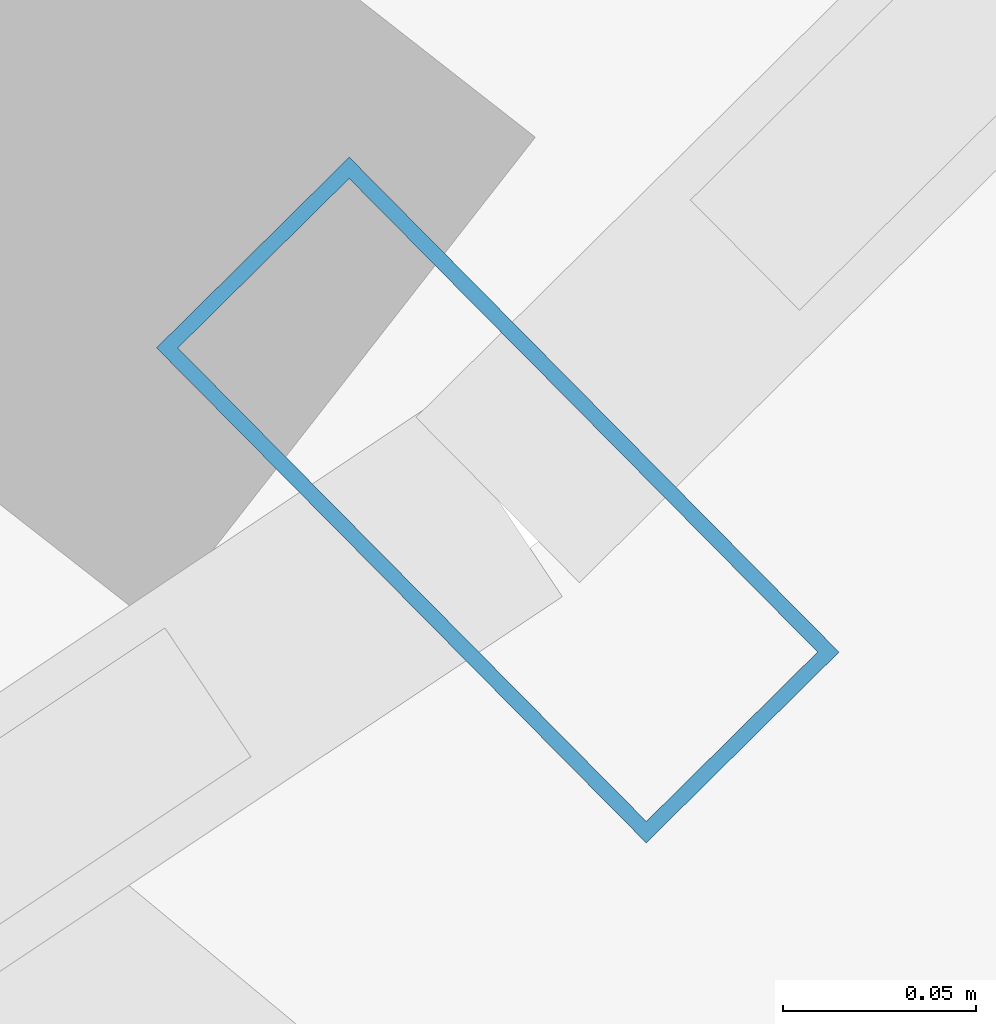
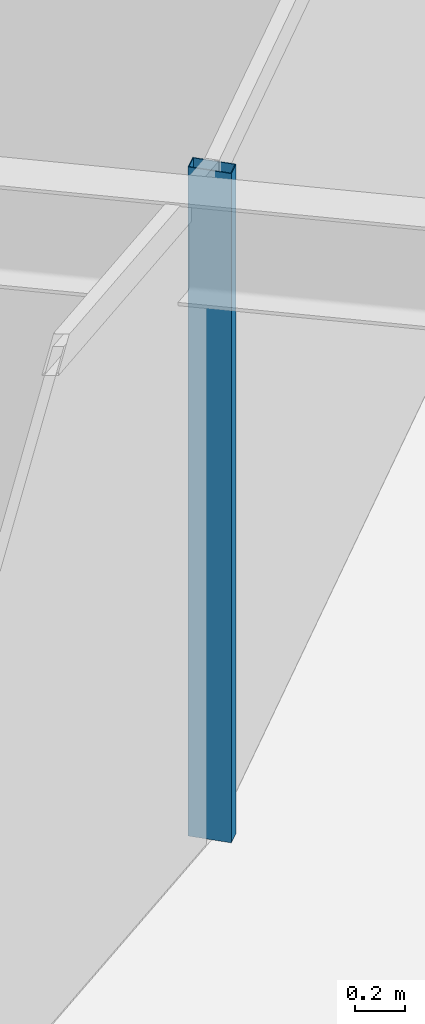
# One storey, part 8 of 23: 1 member, 1 element without a shape of its own.
"""IFC4 building model written with IfcOpenShell, lengths in metres."""

from ifc_helpers import new_model, si_unit, direction, frame, origin, origin_2d, place, context, subcontext, project, spatial, hollow_rectangle, extrude, material, layer, layer_set, material_profile, profile_set, type_object, element, aggregate, save


model = new_model("IFC4")

# Units and contexts
model_context = context("Model", 3, precision=1e-05, world=origin(), true_north=direction((0.0, 1.0)))
body_context = subcontext(model_context, "Body", "Model", "MODEL_VIEW")
ifc_project = project(units=[si_unit("LENGTHUNIT", "METRE"), si_unit("AREAUNIT", "SQUARE_METRE"), si_unit("VOLUMEUNIT", "CUBIC_METRE"), si_unit("PLANEANGLEUNIT", "RADIAN"), si_unit("MASSUNIT", "GRAM", prefix="KILO")], contexts=[model_context])

# Site, building, storey
site_placement = place(None, origin())
site = spatial("IfcSite", under=ifc_project, at=site_placement, CompositionType="ELEMENT")
building_placement = place(site_placement, origin())
building = spatial("IfcBuilding", under=site, at=building_placement, Name="Veldorina Hangang Commons", CompositionType="ELEMENT")
storey_placement = place(building_placement, frame((0.0, 0.0, 102.39990234375)))
storey = spatial("IfcBuildingStorey", under=building, at=storey_placement, Name="L26", CompositionType="ELEMENT", Elevation=102.39990234375)

# Curtain wall, member
ifc_material_1 = material(Name="Glass Low-E Triple IGU", Category="glass")
ifc_layer = layer(ifc_material_1, 0.179931640625)
ifc_layer_set = layer_set([ifc_layer], Name="Glass Low-E Triple IGU")
curtain_wall_type = type_object("IfcCurtainWallType", Name="CW-SYS-Z1", PredefinedType="NOTDEFINED", material=ifc_layer_set)
curtain_wall_placement = place(storey_placement, origin())
curtain_wall = element("IfcCurtainWall", 1, at=curtain_wall_placement, inside=storey, type_object=curtain_wall_type, Name="L26 unitised curtain wall CW-L26-R2", PredefinedType="NOTDEFINED")
ifc_material_2 = material(Name="Aluminium Anodized AA6063-T6", Category="aluminium")
ifc_material_profile = material_profile(ifc_material_2, hollow_rectangle(XDim=0.070068359375, YDim=0.179931640625, WallThickness=0.00390625, at=origin_2d()), Name="ALU-RHS-180x70x4")
ifc_profile_set = profile_set([ifc_material_profile], Name="Aluminium Anodized AA6063-T6")
member_type = type_object("IfcMemberType", Name="CW-MUL-180", PredefinedType="MULLION", material=ifc_profile_set)
member_placement = place(storey_placement, frame((50.5966796875, 8.900634765625, 0.0), z_axis=(0.0, 0.0, 1.0), x_axis=(0.710885404443, 0.703307857023, 0.0)))
member = element("IfcMember", 2, at=member_placement, type_object=member_type, Name="CW-L26-R2 vertical mullion 2", PredefinedType="MULLION", context=body_context, shape_type="SweptSolid", body=[
    extrude(hollow_rectangle(XDim=0.070068359375, YDim=0.179931640625, WallThickness=0.00390625, at=origin_2d()), origin(), (0.0, 0.0, 1.0), 3.260009765625),
])
aggregate(curtain_wall, [member])

save(model, "model.ifc")
